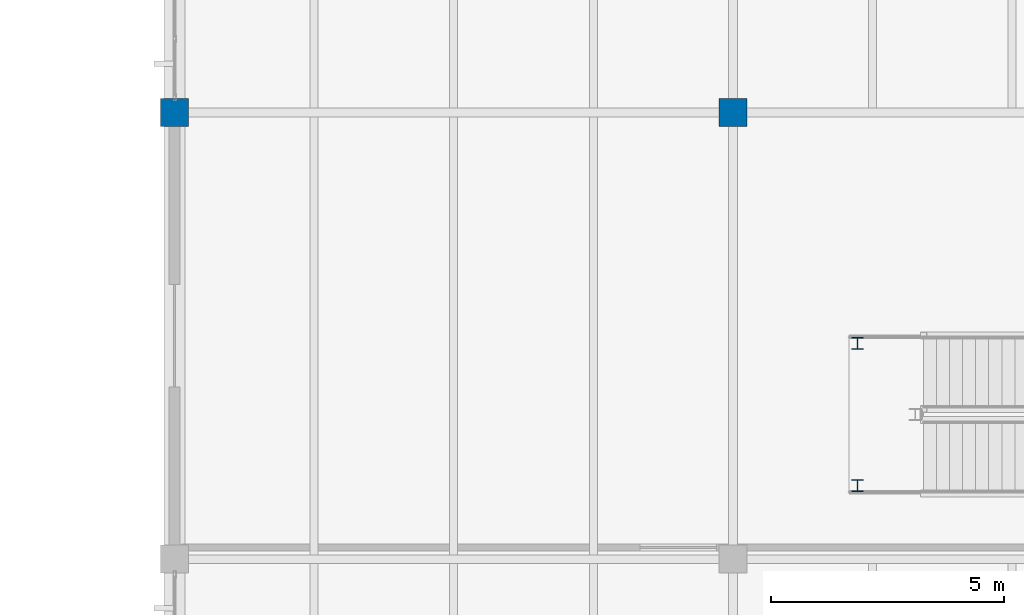
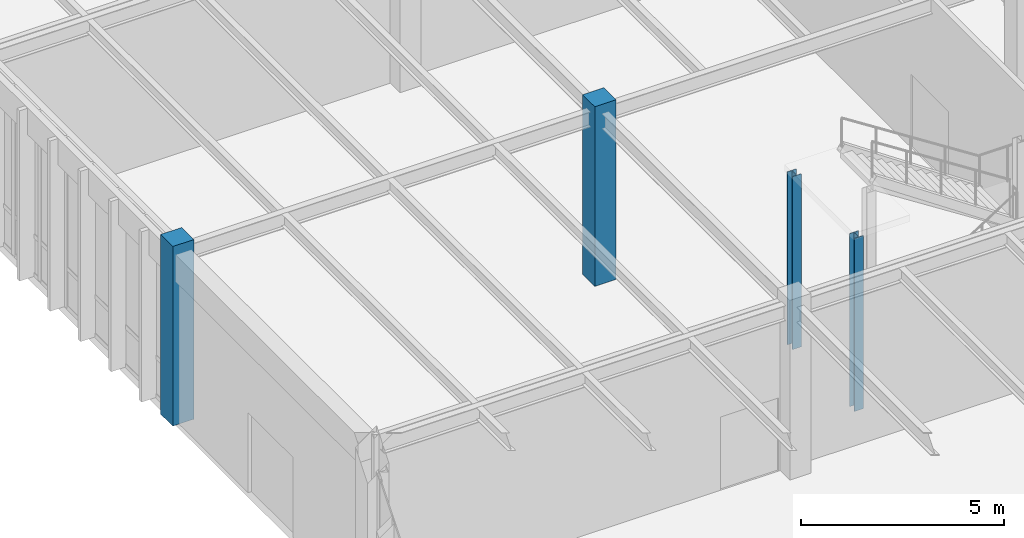
# One storey, part 17 of 188: 4 columns.
"""IFC4 building model written with IfcOpenShell, lengths in metres."""

from ifc_helpers import new_model, si_unit, direction, frame, origin, origin_2d, place, context, subcontext, project, spatial, rectangle, i_section, extrude, material, material_profile, profile_set, type_object, element, save


model = new_model("IFC4")

# Units and contexts
model_context = context("Model", 3, precision=1e-05, world=origin(), true_north=direction((0.0, 1.0)))
body_context = subcontext(model_context, "Body", "Model", "MODEL_VIEW")
ifc_project = project(units=[si_unit("LENGTHUNIT", "METRE"), si_unit("AREAUNIT", "SQUARE_METRE"), si_unit("VOLUMEUNIT", "CUBIC_METRE"), si_unit("PLANEANGLEUNIT", "RADIAN"), si_unit("MASSUNIT", "GRAM", prefix="KILO")], contexts=[model_context])

# Site, building, storey
site_placement = place(None, origin())
site = spatial("IfcSite", under=ifc_project, at=site_placement, CompositionType="ELEMENT")
building_placement = place(site_placement, origin())
building = spatial("IfcBuilding", under=site, at=building_placement, Name="Pandanus Reach Market Hall", CompositionType="ELEMENT")
storey_placement = place(building_placement, origin())
storey = spatial("IfcBuildingStorey", under=building, at=storey_placement, Name="L00", CompositionType="ELEMENT", Elevation=0.0)

# Columns
ifc_material_1 = material(Name="Concrete N40 (40 MPa)", Category="concrete")
ifc_material_profile_1 = material_profile(ifc_material_1, rectangle(XDim=0.60009765625, YDim=0.60009765625, at=origin_2d()), Name="RC600x600", Category="LoadBearing")
ifc_profile_set_1 = profile_set([ifc_material_profile_1], Name="Concrete N40 (40 MPa)")
column_type_1 = type_object("IfcColumnType", Name="CL-RC600-E", PredefinedType="COLUMN", material=ifc_profile_set_1)
column_1_placement = place(storey_placement, frame((144.0, 28.800048828125, 0.0), z_axis=(0.0, 0.0, 1.0), x_axis=(1.0, 0.0, 0.0)))
element("IfcColumn", 1, at=column_1_placement, inside=storey, type_object=column_type_1, Name="Column CL-RC600-E V4-144-288 L00", PredefinedType="COLUMN", context=body_context, shape_type="SweptSolid", body=[
    extrude(rectangle(XDim=0.60009765625, YDim=0.60009765625, at=origin_2d()), origin(), (0.0, 0.0, 1.0), 5.39990234375),
])
ifc_material_profile_2 = material_profile(ifc_material_1, rectangle(XDim=0.60009765625, YDim=0.60009765625, at=origin_2d()), Name="RC600x600", Category="LoadBearing")
ifc_profile_set_2 = profile_set([ifc_material_profile_2], Name="Concrete N40 (40 MPa)")
column_type_2 = type_object("IfcColumnType", Name="CL-RC600-I", PredefinedType="COLUMN", material=ifc_profile_set_2)
column_2_placement = place(storey_placement, frame((156.0, 28.800048828125, 0.0), z_axis=(0.0, 0.0, 1.0), x_axis=(1.0, 0.0, 0.0)))
element("IfcColumn", 2, at=column_2_placement, inside=storey, type_object=column_type_2, Name="Column CL-RC600-I V4-156-288 L00", PredefinedType="COLUMN", context=body_context, shape_type="SweptSolid", body=[
    extrude(rectangle(XDim=0.60009765625, YDim=0.60009765625, at=origin_2d()), origin(), (0.0, 0.0, 1.0), 5.39990234375),
])
ifc_material_2 = material(Name="Steel Grade 350 (350 MPa)", Category="steel")
ifc_material_profile_3 = material_profile(ifc_material_2, i_section(OverallWidth=0.25390625, OverallDepth=0.25390625, WebThickness=0.008544921875, FlangeThickness=0.01416015625, at=origin_2d()), Name="250UC72.9", Category="LoadBearing")
ifc_profile_set_3 = profile_set([ifc_material_profile_3], Name="Steel Grade 350 (350 MPa)")
column_type_3 = type_object("IfcColumnType", Name="CL-UC250-I", PredefinedType="COLUMN", material=ifc_profile_set_3)
for number, where, z_axis, x_axis, name in (
    (3, (158.679931640625, 20.780029296875, 0.0), (0.0, 0.0, 1.0), (1.0, 0.0, 0.0), "Feature stair landing post ST-11.L00.4"),
    (4, (158.679931640625, 23.840087890625, 0.0), (0.0, 0.0, 1.0), (1.0, 0.0, 0.0), "Feature stair landing post ST-11.L00.5"),
):
    element("IfcColumn", number, at=place(storey_placement, frame(where, z_axis=z_axis, x_axis=x_axis)), inside=storey, type_object=column_type_3, Name=name, PredefinedType="COLUMN", context=body_context, shape_type="SweptSolid", body=[
        extrude(i_section(OverallWidth=0.25390625, OverallDepth=0.25390625, WebThickness=0.008544921875, FlangeThickness=0.01416015625, at=origin_2d()), origin(), (0.0, 0.0, 1.0), 5.199951171875),
    ])

save(model, "model.ifc")
